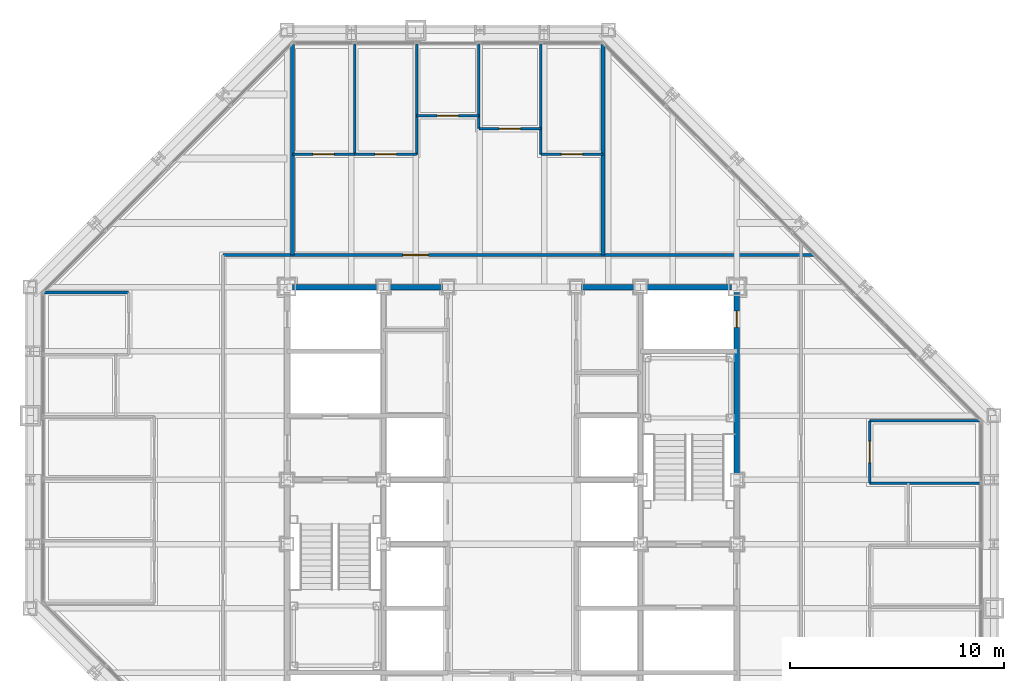
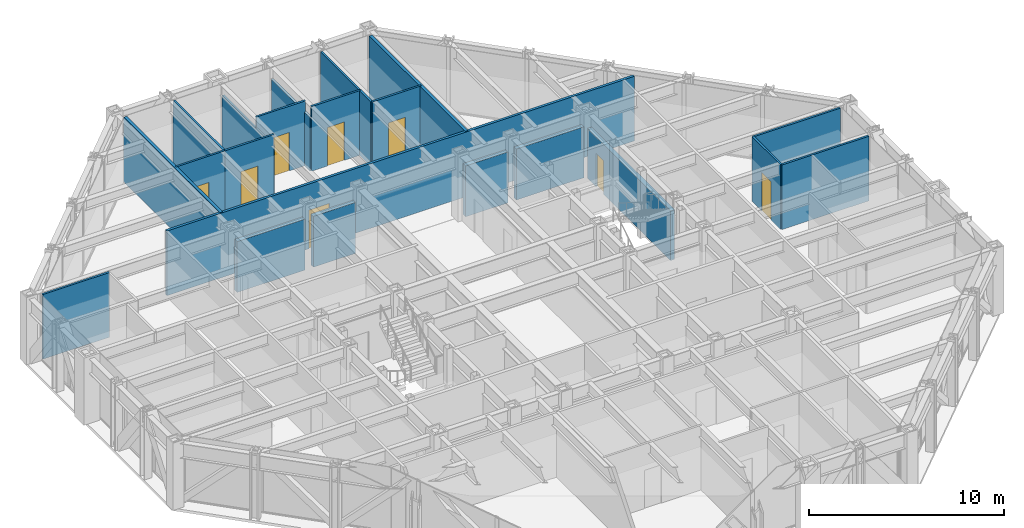
# One storey, part 13 of 16: 21 walls, 8 doors, 8 openings.
"""IFC4 building model written with IfcOpenShell, lengths in metres."""

from ifc_helpers import new_model, si_unit, direction, frame, frame_2d, origin, place, context, subcontext, project, spatial, rectangle, extrude, material, layer, layer_set, type_object, element, fill, save


model = new_model("IFC4")

# Units and contexts
model_context = context("Model", 3, precision=1e-05, world=origin(), true_north=direction((0.0, 1.0)))
body_context = subcontext(model_context, "Body", "Model", "MODEL_VIEW")
ifc_project = project(units=[si_unit("LENGTHUNIT", "METRE"), si_unit("AREAUNIT", "SQUARE_METRE"), si_unit("VOLUMEUNIT", "CUBIC_METRE"), si_unit("PLANEANGLEUNIT", "RADIAN"), si_unit("MASSUNIT", "GRAM", prefix="KILO")], contexts=[model_context])

# Site, building, storey
site_placement = place(None, origin())
site = spatial("IfcSite", under=ifc_project, at=site_placement, CompositionType="ELEMENT")
building_placement = place(site_placement, origin())
building = spatial("IfcBuilding", under=site, at=building_placement, Name="Chuquiago Exchange Tower", CompositionType="ELEMENT")
storey_placement = place(building_placement, frame((0.0, 0.0, 201.300048828125)))
storey = spatial("IfcBuildingStorey", under=building, at=storey_placement, Name="L44", CompositionType="ELEMENT", Elevation=201.300048828125)

# Walls
ifc_material_1 = material(Name="Concrete masonry, fully grouted", Category="masonry")
ifc_layer_1 = layer(ifc_material_1, 0.25)
ifc_layer_set_1 = layer_set([ifc_layer_1], Name="W1 core wall 250")
wall_type_1 = type_object("IfcWallType", Name="W1 core wall 250", PredefinedType="SOLIDWALL", material=ifc_layer_set_1)
wall_1_placement = place(storey_placement, frame((12.25, 33.0, 0.0), z_axis=(0.0, 0.0, 1.0), x_axis=(1.0, 0.0, 0.0)))
element("IfcWall", 1, at=wall_1_placement, inside=storey, type_object=wall_type_1, Name="CW-L44-11-0", PredefinedType="SOLIDWALL", context=body_context, shape_type="SweptSolid", body=[
    extrude(rectangle(XDim=4.0, YDim=0.25, at=frame_2d((2.0, 0.0))), origin(), (0.0, 0.0, 1.0), 3.181396484375),
])
for number, where, z_axis, x_axis, name in (
    (2, (16.75, 33.0, 0.0), (0.0, 0.0, 1.0), (1.0, 0.0, 0.0), "CW-L44-11-1"),
    (3, (25.75, 33.0, 0.0), (0.0, 0.0, 1.0), (1.0, 0.0, 0.0), "CW-L44-12-0"),
):
    element("IfcWall", number, at=place(storey_placement, frame(where, z_axis=z_axis, x_axis=x_axis)), inside=storey, type_object=wall_type_1, Name=name, PredefinedType="SOLIDWALL", context=body_context, shape_type="SweptSolid", body=[
        extrude(rectangle(XDim=2.5, YDim=0.25, at=frame_2d((1.25, 0.0))), origin(), (0.0, 0.0, 1.0), 3.181396484375),
    ])
wall_2_placement = place(storey_placement, frame((28.75, 33.0, 0.0), z_axis=(0.0, 0.0, 1.0), x_axis=(1.0, 0.0, 0.0)))
element("IfcWall", 4, at=wall_2_placement, inside=storey, type_object=wall_type_1, Name="CW-L44-12-1", PredefinedType="SOLIDWALL", context=body_context, shape_type="SweptSolid", body=[
    extrude(rectangle(XDim=4.0, YDim=0.25, at=frame_2d((2.0, 0.0))), origin(), (0.0, 0.0, 1.0), 3.181396484375),
])

# Wall, opening, door
wall_3_placement = place(storey_placement, frame((33.0, 24.25, 0.0), z_axis=(0.0, 0.0, 1.0), x_axis=(0.0, 1.0, 0.0)))
wall_3 = element("IfcWall", 5, at=wall_3_placement, inside=storey, type_object=wall_type_1, Name="CW-L44-25-2", PredefinedType="SOLIDWALL", context=body_context, shape_type="SweptSolid", body=[
    extrude(rectangle(XDim=8.5, YDim=0.25, at=frame_2d((4.25, 0.0))), origin(), (0.0, 0.0, 1.0), 3.11279296875),
])
opening_1_placement = place(wall_3_placement, frame((6.875, 0.0, 0.0)))
opening_1 = element("IfcOpeningElement", 6, at=opening_1_placement, cuts=wall_3, Name="Opening L44-010", PredefinedType="OPENING", context=body_context, shape_type="SweptSolid", body=[
    extrude(rectangle(XDim=0.75, YDim=2.10009765625, at=frame_2d((0.375, 1.050048828125))), frame((0.0, 0.135009765625, 0.0), z_axis=(0.0, -1.0, 0.0), x_axis=(1.0, 0.0, 0.0)), (0.0, 0.0, 1.0), 0.27001953125),
])
ifc_material_2 = material(Name="Steel door, painted", Category="steel")
door_type_1 = type_object("IfcDoorType", Name="D6 riser access door 750x2100", OperationType="SINGLE_SWING_LEFT", PredefinedType="DOOR", material=ifc_material_2)
door_1_placement = place(opening_1_placement, frame((0.75, 0.0, 0.0), z_axis=(0.0, 0.0, 1.0), x_axis=(-1.0, 0.0, 0.0)))
door_1 = element("IfcDoor", 7, at=door_1_placement, inside=storey, type_object=door_type_1, Name="Riser RE2 door", OperationType="SINGLE_SWING_LEFT", OverallHeight=2.10009765625, OverallWidth=0.75, PredefinedType="DOOR", context=body_context, shape_type="SweptSolid", body=[
    extrude(rectangle(XDim=0.75, YDim=2.10009765625, at=frame_2d((0.375, 1.050048828125))), frame((0.0, 0.02490234375, 0.0), z_axis=(0.0, -1.0, 0.0), x_axis=(1.0, 0.0, 0.0)), (0.0, 0.0, 1.0), 0.050048828125),
])
fill(opening_1, door_1)

ifc_material_3 = material(Name="Gypsum board on steel studs, acoustic insulation", Category="steel")
ifc_layer_2 = layer(ifc_material_3, 0.14990234375)
ifc_layer_set_2 = layer_set([ifc_layer_2], Name="W11 corridor wall 150")
wall_type_2 = type_object("IfcWallType", Name="W11 corridor wall 150", PredefinedType="PARTITIONING", material=ifc_layer_set_2)
wall_4_placement = place(storey_placement, frame((9.0, 34.5, 0.0), z_axis=(0.0, 0.0, 1.0), x_axis=(1.0, 0.0, 0.0)))
wall_4 = element("IfcWall", 8, at=wall_4_placement, inside=storey, type_object=wall_type_2, Name="PW-L44-CN", PredefinedType="PARTITIONING", context=body_context, shape_type="SweptSolid", body=[
    extrude(rectangle(XDim=27.614501953125, YDim=0.14990234375, at=frame_2d((13.80712890625, 0.0))), origin(), (0.0, 0.0, 1.0), 4.0400390625),
])
opening_2_placement = place(wall_4_placement, frame((8.39990234375, 0.0, 0.0)))
opening_2 = element("IfcOpeningElement", 9, at=opening_2_placement, cuts=wall_4, Name="Opening L44-040", PredefinedType="OPENING", context=body_context, shape_type="SweptSolid", body=[
    extrude(rectangle(XDim=1.199951171875, YDim=2.39990234375, at=frame_2d((0.60009765625, 1.199951171875))), frame((0.0, 0.0849609375, 0.0), z_axis=(0.0, -1.0, 0.0), x_axis=(1.0, 0.0, 0.0)), (0.0, 0.0, 1.0), 0.169921875),
])
ifc_material_4 = material(Name="Timber door, laminate faced", Category="wood")
door_type_2 = type_object("IfcDoorType", Name="D13 suite entrance door 1200x2400", OperationType="SINGLE_SWING_LEFT", PredefinedType="DOOR", material=ifc_material_4)
door_2_placement = place(opening_2_placement, origin())
door_2 = element("IfcDoor", 10, at=door_2_placement, inside=storey, type_object=door_type_2, Name="North suite entrance door", OperationType="SINGLE_SWING_LEFT", OverallHeight=2.39990234375, OverallWidth=1.199951171875, PredefinedType="DOOR", context=body_context, shape_type="SweptSolid", body=[
    extrude(rectangle(XDim=1.199951171875, YDim=2.39990234375, at=frame_2d((0.60009765625, 1.199951171875))), frame((0.0, 0.02490234375, 0.0), z_axis=(0.0, -1.0, 0.0), x_axis=(1.0, 0.0, 0.0)), (0.0, 0.0, 1.0), 0.050048828125),
])
fill(opening_2, door_2)

# Walls
ifc_material_5 = material(Name="Gypsum board on twin steel studs, acoustic insulation", Category="steel")
ifc_layer_3 = layer(ifc_material_5, 0.175048828125)
ifc_layer_set_3 = layer_set([ifc_layer_3], Name="W12 tenant demising wall 175")
wall_type_3 = type_object("IfcWallType", Name="W12 tenant demising wall 175", PredefinedType="PARTITIONING", material=ifc_layer_set_3)
for number, where, z_axis, x_axis, name in (
    (11, (12.24853515625, 44.333984375, 0.0), (0.0, 0.0, 1.0), (0.0, -1.0, 0.0), "PW-L44-DN01225"),
    (12, (26.75146484375, 44.333984375, 0.0), (0.0, 0.0, 1.0), (0.0, -1.0, 0.0), "PW-L44-DN02675"),
):
    element("IfcWall", number, at=place(storey_placement, frame(where, z_axis=z_axis, x_axis=x_axis)), inside=storey, type_object=wall_type_3, Name=name, PredefinedType="PARTITIONING", context=body_context, shape_type="SweptSolid", body=[
        extrude(rectangle(XDim=9.833984375, YDim=0.175048828125, at=frame_2d((4.9169921875, 0.0))), origin(), (0.0, 0.0, 1.0), 4.0400390625),
    ])
ifc_material_6 = material(Name="Gypsum board on steel studs", Category="steel")
ifc_layer_4 = layer(ifc_material_6, 0.1201171875)
ifc_layer_set_4 = layer_set([ifc_layer_4], Name="W4 partition 120")
wall_type_4 = type_object("IfcWallType", Name="W4 partition 120", PredefinedType="PARTITIONING", material=ifc_layer_set_4)
wall_5_placement = place(storey_placement, frame((44.347412109375, 23.850830078125, 0.0), z_axis=(0.0, 0.0, 1.0), x_axis=(-1.0, 0.0, 0.0)))
element("IfcWall", 13, at=wall_5_placement, inside=storey, type_object=wall_type_4, Name="PW-L44-E02385", PredefinedType="PARTITIONING", context=body_context, shape_type="SweptSolid", body=[
    extrude(rectangle(XDim=5.1474609375, YDim=0.1201171875, at=frame_2d((2.57373046875, 0.0))), origin(), (0.0, 0.0, 1.0), 4.0400390625),
])
wall_6_placement = place(storey_placement, frame((44.333984375, 26.75146484375, 0.0), z_axis=(0.0, 0.0, 1.0), x_axis=(-1.0, 0.0, 0.0)))
element("IfcWall", 14, at=wall_6_placement, inside=storey, type_object=wall_type_4, Name="PW-L44-E02675", PredefinedType="PARTITIONING", context=body_context, shape_type="SweptSolid", body=[
    extrude(rectangle(XDim=5.134033203125, YDim=0.1201171875, at=frame_2d((2.56689453125, 0.0))), origin(), (0.0, 0.0, 1.0), 4.0400390625),
])

# Wall, opening, door
wall_7_placement = place(storey_placement, frame((39.199951171875, 23.850830078125, 0.0), z_axis=(0.0, 0.0, 1.0), x_axis=(0.0, 1.0, 0.0)))
wall_7 = element("IfcWall", 15, at=wall_7_placement, inside=storey, type_object=wall_type_4, Name="PW-L44-EF02385", PredefinedType="PARTITIONING", context=body_context, shape_type="SweptSolid", body=[
    extrude(rectangle(XDim=2.900634765625, YDim=0.1201171875, at=frame_2d((1.4501953125, 0.0))), origin(), (0.0, 0.0, 1.0), 4.0400390625),
])
opening_3_placement = place(wall_7_placement, frame((0.9501953125, 0.0, 0.0)))
opening_3 = element("IfcOpeningElement", 16, at=opening_3_placement, cuts=wall_7, Name="Opening L44-028", PredefinedType="OPENING", context=body_context, shape_type="SweptSolid", body=[
    extrude(rectangle(XDim=1.0, YDim=2.39990234375, at=frame_2d((0.5, 1.199951171875))), frame((0.0, 0.070068359375, 0.0), z_axis=(0.0, -1.0, 0.0), x_axis=(1.0, 0.0, 0.0)), (0.0, 0.0, 1.0), 0.14013671875),
])
ifc_material_7 = material(Name="Timber frame door, full height glazed panel", Category="wood")
door_type_3 = type_object("IfcDoorType", Name="D14 glazed meeting room door 1000x2400", OperationType="SINGLE_SWING_LEFT", PredefinedType="DOOR", material=ifc_material_7)
door_3_placement = place(opening_3_placement, frame((1.0, 0.0, 0.0), z_axis=(0.0, 0.0, 1.0), x_axis=(-1.0, 0.0, 0.0)))
door_3 = element("IfcDoor", 17, at=door_3_placement, inside=storey, type_object=door_type_3, Name="Meeting room door", OperationType="SINGLE_SWING_RIGHT", OverallHeight=2.39990234375, OverallWidth=1.0, PredefinedType="DOOR", context=body_context, shape_type="SweptSolid", body=[
    extrude(rectangle(XDim=1.0, YDim=2.39990234375, at=frame_2d((0.5, 1.199951171875))), frame((0.0, 0.02490234375, 0.0), z_axis=(0.0, -1.0, 0.0), x_axis=(1.0, 0.0, 0.0)), (0.0, 0.0, 1.0), 0.050048828125),
])
fill(opening_3, door_3)

# Walls
wall_8_placement = place(storey_placement, frame((15.149169921875, 44.347412109375, 0.0), z_axis=(0.0, 0.0, 1.0), x_axis=(0.0, -1.0, 0.0)))
element("IfcWall", 18, at=wall_8_placement, inside=storey, type_object=wall_type_4, Name="PW-L44-N01515", PredefinedType="PARTITIONING", context=body_context, shape_type="SweptSolid", body=[
    extrude(rectangle(XDim=5.1474609375, YDim=0.1201171875, at=frame_2d((2.57373046875, 0.0))), origin(), (0.0, 0.0, 1.0), 4.0400390625),
])
wall_9_placement = place(storey_placement, frame((18.0498046875, 44.347412109375, 0.0), z_axis=(0.0, 0.0, 1.0), x_axis=(0.0, -1.0, 0.0)))
element("IfcWall", 19, at=wall_9_placement, inside=storey, type_object=wall_type_4, Name="PW-L44-N01805", PredefinedType="PARTITIONING", context=body_context, shape_type="SweptSolid", body=[
    extrude(rectangle(XDim=5.1474609375, YDim=0.1201171875, at=frame_2d((2.57373046875, 0.0))), origin(), (0.0, 0.0, 1.0), 3.356689453125),
])
wall_10_placement = place(storey_placement, frame((20.9501953125, 44.347412109375, 0.0), z_axis=(0.0, 0.0, 1.0), x_axis=(0.0, -1.0, 0.0)))
element("IfcWall", 20, at=wall_10_placement, inside=storey, type_object=wall_type_4, Name="PW-L44-N02095", PredefinedType="PARTITIONING", context=body_context, shape_type="SweptSolid", body=[
    extrude(rectangle(XDim=3.947509765625, YDim=0.1201171875, at=frame_2d((1.9736328125, 0.0))), origin(), (0.0, 0.0, 1.0), 3.356689453125),
])
wall_11_placement = place(storey_placement, frame((23.850830078125, 44.347412109375, 0.0), z_axis=(0.0, 0.0, 1.0), x_axis=(0.0, -1.0, 0.0)))
element("IfcWall", 21, at=wall_11_placement, inside=storey, type_object=wall_type_4, Name="PW-L44-N02385", PredefinedType="PARTITIONING", context=body_context, shape_type="SweptSolid", body=[
    extrude(rectangle(XDim=5.1474609375, YDim=0.1201171875, at=frame_2d((2.57373046875, 0.0))), origin(), (0.0, 0.0, 1.0), 4.0400390625),
])

# Wall, opening, door
wall_12_placement = place(storey_placement, frame((12.24853515625, 39.199951171875, 0.0), z_axis=(0.0, 0.0, 1.0), x_axis=(1.0, 0.0, 0.0)))
wall_12 = element("IfcWall", 22, at=wall_12_placement, inside=storey, type_object=wall_type_4, Name="PW-L44-NF01225", PredefinedType="PARTITIONING", context=body_context, shape_type="SweptSolid", body=[
    extrude(rectangle(XDim=2.900634765625, YDim=0.1201171875, at=frame_2d((1.4501953125, 0.0))), origin(), (0.0, 0.0, 1.0), 4.0400390625),
])
opening_4_placement = place(wall_12_placement, frame((0.9501953125, 0.0, 0.0)))
opening_4 = element("IfcOpeningElement", 23, at=opening_4_placement, cuts=wall_12, Name="Opening L44-029", PredefinedType="OPENING", context=body_context, shape_type="SweptSolid", body=[
    extrude(rectangle(XDim=1.0, YDim=2.39990234375, at=frame_2d((0.5, 1.199951171875))), frame((0.0, 0.070068359375, 0.0), z_axis=(0.0, -1.0, 0.0), x_axis=(1.0, 0.0, 0.0)), (0.0, 0.0, 1.0), 0.14013671875),
])
ifc_material_8 = material(Name="Timber door, laminate faced", Category="wood")
door_type_4 = type_object("IfcDoorType", Name="D9 room door 1000x2400", OperationType="SINGLE_SWING_LEFT", PredefinedType="DOOR", material=ifc_material_8)
door_4_placement = place(opening_4_placement, origin())
door_4 = element("IfcDoor", 24, at=door_4_placement, inside=storey, type_object=door_type_4, Name="Office door", OperationType="SINGLE_SWING_LEFT", OverallHeight=2.39990234375, OverallWidth=1.0, PredefinedType="DOOR", context=body_context, shape_type="SweptSolid", body=[
    extrude(rectangle(XDim=1.0, YDim=2.39990234375, at=frame_2d((0.5, 1.199951171875))), frame((0.0, 0.02490234375, 0.0), z_axis=(0.0, -1.0, 0.0), x_axis=(1.0, 0.0, 0.0)), (0.0, 0.0, 1.0), 0.050048828125),
])
fill(opening_4, door_4)

wall_13_placement = place(storey_placement, frame((15.149169921875, 39.199951171875, 0.0), z_axis=(0.0, 0.0, 1.0), x_axis=(1.0, 0.0, 0.0)))
wall_13 = element("IfcWall", 25, at=wall_13_placement, inside=storey, type_object=wall_type_4, Name="PW-L44-NF01515", PredefinedType="PARTITIONING", context=body_context, shape_type="SweptSolid", body=[
    extrude(rectangle(XDim=2.900634765625, YDim=0.1201171875, at=frame_2d((1.4501953125, 0.0))), origin(), (0.0, 0.0, 1.0), 4.0400390625),
])
opening_5_placement = place(wall_13_placement, frame((0.9501953125, 0.0, 0.0)))
opening_5 = element("IfcOpeningElement", 26, at=opening_5_placement, cuts=wall_13, Name="Opening L44-030", PredefinedType="OPENING", context=body_context, shape_type="SweptSolid", body=[
    extrude(rectangle(XDim=1.0, YDim=2.39990234375, at=frame_2d((0.5, 1.199951171875))), frame((0.0, 0.070068359375, 0.0), z_axis=(0.0, -1.0, 0.0), x_axis=(1.0, 0.0, 0.0)), (0.0, 0.0, 1.0), 0.14013671875),
])
door_5_placement = place(opening_5_placement, origin())
door_5 = element("IfcDoor", 27, at=door_5_placement, inside=storey, type_object=door_type_4, Name="Office door", OperationType="SINGLE_SWING_LEFT", OverallHeight=2.39990234375, OverallWidth=1.0, PredefinedType="DOOR", context=body_context, shape_type="SweptSolid", body=[
    extrude(rectangle(XDim=1.0, YDim=2.39990234375, at=frame_2d((0.5, 1.199951171875))), frame((0.0, 0.02490234375, 0.0), z_axis=(0.0, -1.0, 0.0), x_axis=(1.0, 0.0, 0.0)), (0.0, 0.0, 1.0), 0.050048828125),
])
fill(opening_5, door_5)

wall_14_placement = place(storey_placement, frame((18.0498046875, 41.0, 0.0), z_axis=(0.0, 0.0, 1.0), x_axis=(1.0, 0.0, 0.0)))
wall_14 = element("IfcWall", 28, at=wall_14_placement, inside=storey, type_object=wall_type_4, Name="PW-L44-NF01805", PredefinedType="PARTITIONING", context=body_context, shape_type="SweptSolid", body=[
    extrude(rectangle(XDim=2.900390625, YDim=0.1201171875, at=frame_2d((1.4501953125, 0.0))), origin(), (0.0, 0.0, 1.0), 4.0400390625),
])
opening_6_placement = place(wall_14_placement, frame((0.9501953125, 0.0, 0.0)))
opening_6 = element("IfcOpeningElement", 29, at=opening_6_placement, cuts=wall_14, Name="Opening L44-031", PredefinedType="OPENING", context=body_context, shape_type="SweptSolid", body=[
    extrude(rectangle(XDim=1.0, YDim=2.39990234375, at=frame_2d((0.5, 1.199951171875))), frame((0.0, 0.070068359375, 0.0), z_axis=(0.0, -1.0, 0.0), x_axis=(1.0, 0.0, 0.0)), (0.0, 0.0, 1.0), 0.14013671875),
])
door_6_placement = place(opening_6_placement, origin())
door_6 = element("IfcDoor", 30, at=door_6_placement, inside=storey, type_object=door_type_3, Name="Focus room door", OperationType="SINGLE_SWING_RIGHT", OverallHeight=2.39990234375, OverallWidth=1.0, PredefinedType="DOOR", context=body_context, shape_type="SweptSolid", body=[
    extrude(rectangle(XDim=1.0, YDim=2.39990234375, at=frame_2d((0.5, 1.199951171875))), frame((0.0, 0.02490234375, 0.0), z_axis=(0.0, -1.0, 0.0), x_axis=(1.0, 0.0, 0.0)), (0.0, 0.0, 1.0), 0.050048828125),
])
fill(opening_6, door_6)

wall_15_placement = place(storey_placement, frame((20.9501953125, 40.39990234375, 0.0), z_axis=(0.0, 0.0, 1.0), x_axis=(1.0, 0.0, 0.0)))
wall_15 = element("IfcWall", 31, at=wall_15_placement, inside=storey, type_object=wall_type_4, Name="PW-L44-NF02095", PredefinedType="PARTITIONING", context=body_context, shape_type="SweptSolid", body=[
    extrude(rectangle(XDim=2.900634765625, YDim=0.1201171875, at=frame_2d((1.4501953125, 0.0))), origin(), (0.0, 0.0, 1.0), 4.0400390625),
])
opening_7_placement = place(wall_15_placement, frame((0.9501953125, 0.0, 0.0)))
opening_7 = element("IfcOpeningElement", 32, at=opening_7_placement, cuts=wall_15, Name="Opening L44-032", PredefinedType="OPENING", context=body_context, shape_type="SweptSolid", body=[
    extrude(rectangle(XDim=1.0, YDim=2.39990234375, at=frame_2d((0.5, 1.199951171875))), frame((0.0, 0.070068359375, 0.0), z_axis=(0.0, -1.0, 0.0), x_axis=(1.0, 0.0, 0.0)), (0.0, 0.0, 1.0), 0.14013671875),
])
door_7_placement = place(opening_7_placement, origin())
door_7 = element("IfcDoor", 33, at=door_7_placement, inside=storey, type_object=door_type_4, Name="Pantry door", OperationType="SINGLE_SWING_LEFT", OverallHeight=2.39990234375, OverallWidth=1.0, PredefinedType="DOOR", context=body_context, shape_type="SweptSolid", body=[
    extrude(rectangle(XDim=1.0, YDim=2.39990234375, at=frame_2d((0.5, 1.199951171875))), frame((0.0, 0.02490234375, 0.0), z_axis=(0.0, -1.0, 0.0), x_axis=(1.0, 0.0, 0.0)), (0.0, 0.0, 1.0), 0.050048828125),
])
fill(opening_7, door_7)

wall_16_placement = place(storey_placement, frame((23.850830078125, 39.199951171875, 0.0), z_axis=(0.0, 0.0, 1.0), x_axis=(1.0, 0.0, 0.0)))
wall_16 = element("IfcWall", 34, at=wall_16_placement, inside=storey, type_object=wall_type_4, Name="PW-L44-NF02385", PredefinedType="PARTITIONING", context=body_context, shape_type="SweptSolid", body=[
    extrude(rectangle(XDim=2.900634765625, YDim=0.1201171875, at=frame_2d((1.4501953125, 0.0))), origin(), (0.0, 0.0, 1.0), 4.0400390625),
])
opening_8_placement = place(wall_16_placement, frame((0.9501953125, 0.0, 0.0)))
opening_8 = element("IfcOpeningElement", 35, at=opening_8_placement, cuts=wall_16, Name="Opening L44-033", PredefinedType="OPENING", context=body_context, shape_type="SweptSolid", body=[
    extrude(rectangle(XDim=1.0, YDim=2.39990234375, at=frame_2d((0.5, 1.199951171875))), frame((0.0, 0.070068359375, 0.0), z_axis=(0.0, -1.0, 0.0), x_axis=(1.0, 0.0, 0.0)), (0.0, 0.0, 1.0), 0.14013671875),
])
door_8_placement = place(opening_8_placement, origin())
door_8 = element("IfcDoor", 36, at=door_8_placement, inside=storey, type_object=door_type_3, Name="Meeting room door", OperationType="SINGLE_SWING_RIGHT", OverallHeight=2.39990234375, OverallWidth=1.0, PredefinedType="DOOR", context=body_context, shape_type="SweptSolid", body=[
    extrude(rectangle(XDim=1.0, YDim=2.39990234375, at=frame_2d((0.5, 1.199951171875))), frame((0.0, 0.02490234375, 0.0), z_axis=(0.0, -1.0, 0.0), x_axis=(1.0, 0.0, 0.0)), (0.0, 0.0, 1.0), 0.050048828125),
])
fill(opening_8, door_8)

# Wall
wall_17_placement = place(storey_placement, frame((0.666015625, 32.75146484375, 0.0), z_axis=(0.0, 0.0, 1.0), x_axis=(1.0, 0.0, 0.0)))
element("IfcWall", 37, at=wall_17_placement, inside=storey, type_object=wall_type_4, Name="PW-L44-W03275", PredefinedType="PARTITIONING", context=body_context, shape_type="SweptSolid", body=[
    extrude(rectangle(XDim=3.93408203125, YDim=0.1201171875, at=frame_2d((1.967041015625, 0.0))), origin(), (0.0, 0.0, 1.0), 4.0400390625),
])

save(model, "model.ifc")
